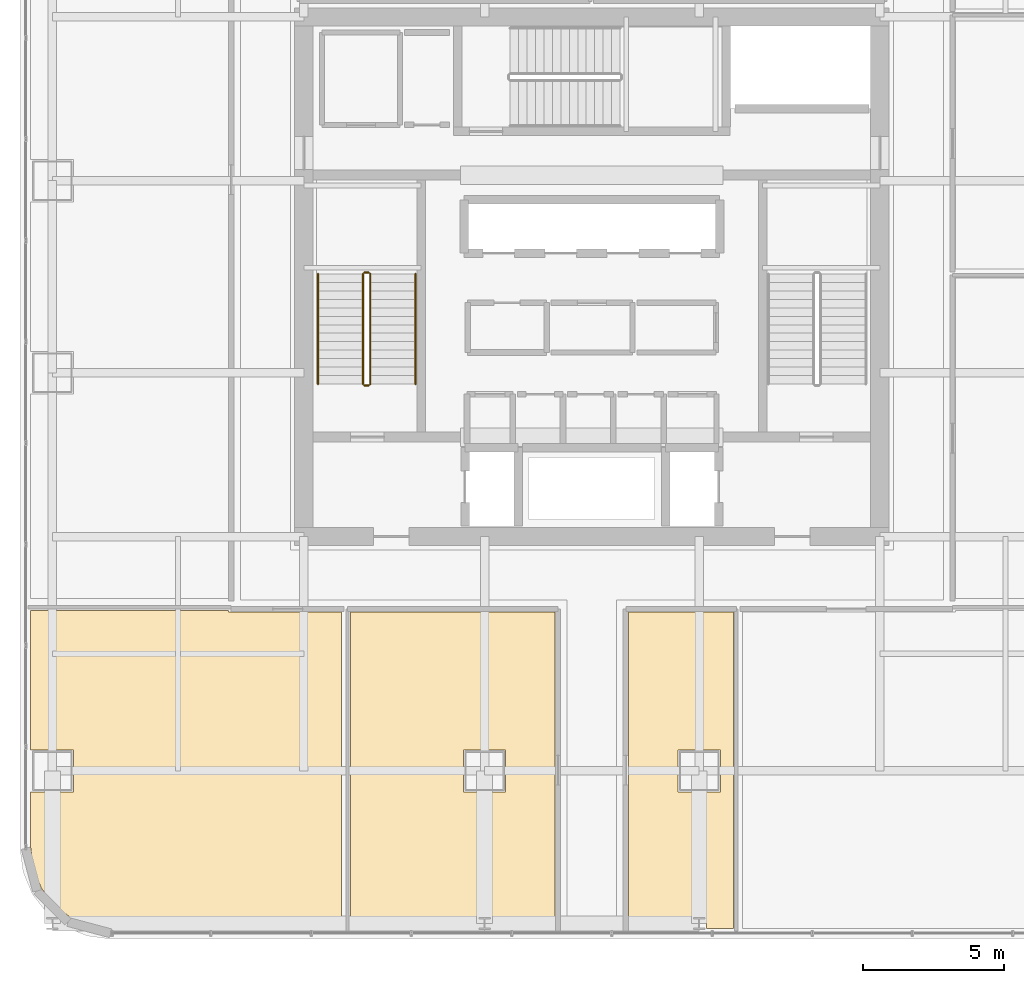
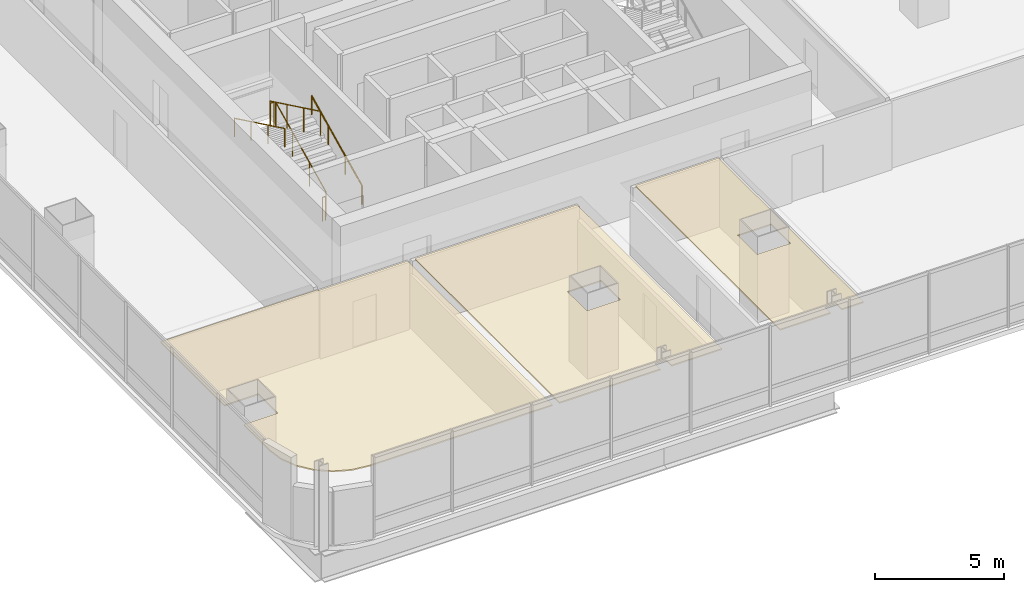
# One storey, part 33 of 36: 6 railings, 3 coverings.
"""IFC4 building model written with IfcOpenShell, lengths in metres."""

from ifc_helpers import new_model, si_unit, direction, frame, origin, origin_2d, place, context, subcontext, project, spatial, polyline, circle, outline, extrude, material, layer, layer_set, type_object, element, save


model = new_model("IFC4")

# Units and contexts
model_context = context("Model", 3, precision=1e-05, world=origin(), true_north=direction((0.0, 1.0)))
body_context = subcontext(model_context, "Body", "Model", "MODEL_VIEW")
ifc_project = project(units=[si_unit("LENGTHUNIT", "METRE"), si_unit("AREAUNIT", "SQUARE_METRE"), si_unit("VOLUMEUNIT", "CUBIC_METRE"), si_unit("PLANEANGLEUNIT", "RADIAN"), si_unit("MASSUNIT", "GRAM", prefix="KILO")], contexts=[model_context])

# Site, building, storey
site_placement = place(None, origin())
site = spatial("IfcSite", under=ifc_project, at=site_placement, CompositionType="ELEMENT")
building_placement = place(site_placement, origin())
building = spatial("IfcBuilding", under=site, at=building_placement, Name="Punatoya Terracotta Tower", CompositionType="ELEMENT")
storey_placement = place(building_placement, frame((0.0, 0.0, 228.89990234375)))
storey = spatial("IfcBuildingStorey", under=building, at=storey_placement, Name="L54", CompositionType="ELEMENT", Elevation=228.89990234375)

# Coverings
ifc_material_1 = material(Name="Acoustic Mineral Fibre Ceiling")
ifc_layer = layer(ifc_material_1, 0.06005859375)
ifc_layer_set = layer_set([ifc_layer], Name="Acoustic Mineral Fibre Ceiling")
covering_type = type_object("IfcCoveringType", Name="COV-CEIL-60", PredefinedType="CEILING", material=ifc_layer_set)
covering_1_placement = place(storey_placement, frame((0.0, 0.0, 3.22021484375)))
element("IfcCovering", 1, at=covering_1_placement, inside=storey, type_object=covering_type, Name="L54 Open Workplace Studio Acoustic Ceiling", PredefinedType="CEILING", context=body_context, shape_type="SweptSolid", body=[
    extrude(outline(polyline([(-8.552001953125, -23.070068359375), (-4.054443359375, -23.070068359375), (-4.054443359375, -22.637451171875), (-3.54541015625, -22.637451171875), (-3.54541015625, -23.070068359375), (-1.300048828125, -23.070068359375), (-1.300048828125, -11.8701171875), (-8.552001953125, -11.8701171875), (-8.552001953125, -23.070068359375)]), holes=[polyline([(-3.050048828125, -18.25), (-4.550048828125, -18.25), (-4.550048828125, -16.75), (-3.050048828125, -16.75), (-3.050048828125, -18.25)])]), origin(), (0.0, 0.0, 1.0), 0.059814453125),
])
covering_2_placement = place(storey_placement, frame((0.0, 0.0, 3.22021484375)))
element("IfcCovering", 2, at=covering_2_placement, inside=storey, type_object=covering_type, Name="L54 Open-Plan Analytical Practice Office Acoustic Ceiling", PredefinedType="CEILING", context=body_context, shape_type="SweptSolid", body=[
    extrude(outline(polyline([(3.54541015625, -22.637451171875), (4.054443359375, -22.637451171875), (4.054443359375, -23.070068359375), (5.01806640625, -23.070068359375), (5.01806640625, -11.8701171875), (1.300048828125, -11.8701171875), (1.300048828125, -23.070068359375), (3.54541015625, -23.070068359375), (3.54541015625, -22.637451171875)]), holes=[polyline([(3.050048828125, -18.25), (3.050048828125, -16.75), (4.550048828125, -16.75), (4.550048828125, -18.25), (3.050048828125, -18.25)])]), origin(), (0.0, 0.0, 1.0), 0.059814453125),
])
covering_3_placement = place(storey_placement, frame((0.0, 0.0, 3.22021484375)))
element("IfcCovering", 3, at=covering_3_placement, inside=storey, type_object=covering_type, Name="L54 Open-Plan Project Design Office Acoustic Ceiling", PredefinedType="CEILING", context=body_context, shape_type="SweptSolid", body=[
    extrude(outline(polyline([(-19.8701171875, -18.25), (-19.8701171875, -20.22509765625), (-19.770751953125, -20.97900390625), (-19.489501953125, -21.658203125), (-19.041748046875, -22.24169921875), (-18.458251953125, -22.689453125), (-17.779052734375, -22.970703125), (-17.025146484375, -23.070068359375), (-8.8720703125, -23.070068359375), (-8.8720703125, -11.8701171875), (-12.8701171875, -11.8701171875), (-12.8701171875, -11.81005859375), (-19.8701171875, -11.81005859375), (-19.8701171875, -16.75), (-18.35009765625, -16.75), (-18.35009765625, -18.25), (-19.8701171875, -18.25)])), origin(), (0.0, 0.0, 1.0), 0.059814453125),
])

# Railings
ifc_material_2 = material(Name="Steel S355", Category="steel")
railing_type_1 = type_object("IfcRailingType", Name="RLG-GRD-1150", PredefinedType="GUARDRAIL", material=ifc_material_2)
railing_1_placement = place(storey_placement, frame((-7.85009765625, -3.800048828125, 0.144775390625)))
element("IfcRailing", 4, at=railing_1_placement, inside=storey, type_object=railing_type_1, Name="L54 ST-1 stair guard 1", PredefinedType="GUARDRAIL", context=body_context, shape_type="SweptSolid", body=[
    extrude(circle(Radius=0.02392578125, at=origin_2d()), frame((0.0, 0.0, 1.1259765625), z_axis=(0.0, 0.900773802044, 0.434288564841), x_axis=(-1.0, 0.0, 0.0)), (0.0, 0.0, 1.0), 4.329833984375),
    extrude(circle(Radius=0.02099609375, at=origin_2d()), origin(), (0.0, 0.0, 1.0), 1.101806640625),
    extrude(circle(Radius=0.02099609375, at=origin_2d()), frame((0.0, 1.300048828125, 0.626708984375)), (0.0, 0.0, 1.0), 1.101806640625),
    extrude(circle(Radius=0.02099609375, at=origin_2d()), frame((0.0, 2.60009765625, 1.253662109375)), (0.0, 0.0, 1.0), 1.101806640625),
    extrude(circle(Radius=0.02099609375, at=origin_2d()), frame((0.0, 3.900146484375, 1.88037109375)), (0.0, 0.0, 1.0), 1.101806640625),
])
railing_2_placement = place(storey_placement, frame((-7.89990234375, 0.14990234375, 2.025146484375)))
element("IfcRailing", 5, at=railing_2_placement, inside=storey, type_object=railing_type_1, Name="L54 ST-1 stair guard 2", PredefinedType="GUARDRAIL", context=body_context, shape_type="SweptSolid", body=[
    extrude(circle(Radius=0.02392578125, at=origin_2d()), frame((0.0, 0.0, 1.1259765625), z_axis=(-1.0, 0.0, 0.0), x_axis=(0.0, -1.0, 0.0)), (0.0, 0.0, 1.0), 0.150146484375),
    extrude(circle(Radius=0.02099609375, at=origin_2d()), origin(), (0.0, 0.0, 1.0), 1.101806640625),
    extrude(circle(Radius=0.02099609375, at=origin_2d()), frame((-0.150146484375, 0.0, 0.0)), (0.0, 0.0, 1.0), 1.101806640625),
])
railing_3_placement = place(storey_placement, frame((-8.10009765625, 0.10009765625, 2.169677734375)))
element("IfcRailing", 6, at=railing_3_placement, inside=storey, type_object=railing_type_1, Name="L54 ST-1 stair guard 3", PredefinedType="GUARDRAIL", context=body_context, shape_type="SweptSolid", body=[
    extrude(circle(Radius=0.02392578125, at=origin_2d()), frame((0.0, 0.0, 1.1259765625), z_axis=(0.0, -0.900773802044, 0.434288564841), x_axis=(1.0, 0.0, 0.0)), (0.0, 0.0, 1.0), 4.329833984375),
    extrude(circle(Radius=0.02099609375, at=origin_2d()), origin(), (0.0, 0.0, 1.0), 1.101806640625),
    extrude(circle(Radius=0.02099609375, at=origin_2d()), frame((0.0, -1.300048828125, 0.626708984375)), (0.0, 0.0, 1.0), 1.101806640625),
    extrude(circle(Radius=0.02099609375, at=origin_2d()), frame((0.0, -2.60009765625, 1.253662109375)), (0.0, 0.0, 1.0), 1.101806640625),
    extrude(circle(Radius=0.02099609375, at=origin_2d()), frame((0.0, -3.900146484375, 1.88037109375)), (0.0, 0.0, 1.0), 1.101806640625),
])
railing_4_placement = place(storey_placement, frame((-7.89990234375, -3.85009765625, 0.0)))
element("IfcRailing", 7, at=railing_4_placement, inside=storey, type_object=railing_type_1, Name="L54 ST-1 stair guard 4", PredefinedType="GUARDRAIL", context=body_context, shape_type="SweptSolid", body=[
    extrude(circle(Radius=0.02392578125, at=origin_2d()), frame((0.0, 0.0, 1.1259765625), z_axis=(-1.0, 0.0, 0.0), x_axis=(0.0, -1.0, 0.0)), (0.0, 0.0, 1.0), 0.150146484375),
    extrude(circle(Radius=0.02099609375, at=origin_2d()), origin(), (0.0, 0.0, 1.0), 1.101806640625),
    extrude(circle(Radius=0.02099609375, at=origin_2d()), frame((-0.150146484375, 0.0, 0.0)), (0.0, 0.0, 1.0), 1.101806640625),
])
railing_type_2 = type_object("IfcRailingType", Name="RLG-HND-900", PredefinedType="HANDRAIL", material=ifc_material_2)
railing_5_placement = place(storey_placement, frame((-6.25, -3.800048828125, 0.144775390625)))
element("IfcRailing", 8, at=railing_5_placement, inside=storey, type_object=railing_type_2, Name="L54 ST-1 stair handrail 1", PredefinedType="HANDRAIL", context=body_context, shape_type="SweptSolid", body=[
    extrude(circle(Radius=0.02392578125, at=origin_2d()), frame((0.0, 0.0, 0.8759765625), z_axis=(0.0, 0.900773802044, 0.434288564841), x_axis=(-1.0, 0.0, 0.0)), (0.0, 0.0, 1.0), 4.329833984375),
    extrude(circle(Radius=0.02099609375, at=origin_2d()), origin(), (0.0, 0.0, 1.0), 0.851806640625),
    extrude(circle(Radius=0.02099609375, at=origin_2d()), frame((0.0, 1.300048828125, 0.626708984375)), (0.0, 0.0, 1.0), 0.851806640625),
    extrude(circle(Radius=0.02099609375, at=origin_2d()), frame((0.0, 2.60009765625, 1.253662109375)), (0.0, 0.0, 1.0), 0.851806640625),
    extrude(circle(Radius=0.02099609375, at=origin_2d()), frame((0.0, 3.900146484375, 1.88037109375)), (0.0, 0.0, 1.0), 0.851806640625),
])
railing_6_placement = place(storey_placement, frame((-9.699951171875, 0.10009765625, 2.169677734375)))
element("IfcRailing", 9, at=railing_6_placement, inside=storey, type_object=railing_type_2, Name="L54 ST-1 stair handrail 2", PredefinedType="HANDRAIL", context=body_context, shape_type="SweptSolid", body=[
    extrude(circle(Radius=0.02392578125, at=origin_2d()), frame((0.0, 0.0, 0.8759765625), z_axis=(0.0, -0.900773802044, 0.434288564841), x_axis=(1.0, 0.0, 0.0)), (0.0, 0.0, 1.0), 4.329833984375),
    extrude(circle(Radius=0.02099609375, at=origin_2d()), origin(), (0.0, 0.0, 1.0), 0.851806640625),
    extrude(circle(Radius=0.02099609375, at=origin_2d()), frame((0.0, -1.300048828125, 0.626708984375)), (0.0, 0.0, 1.0), 0.851806640625),
    extrude(circle(Radius=0.02099609375, at=origin_2d()), frame((0.0, -2.60009765625, 1.253662109375)), (0.0, 0.0, 1.0), 0.851806640625),
    extrude(circle(Radius=0.02099609375, at=origin_2d()), frame((0.0, -3.900146484375, 1.88037109375)), (0.0, 0.0, 1.0), 0.851806640625),
])

save(model, "model.ifc")
